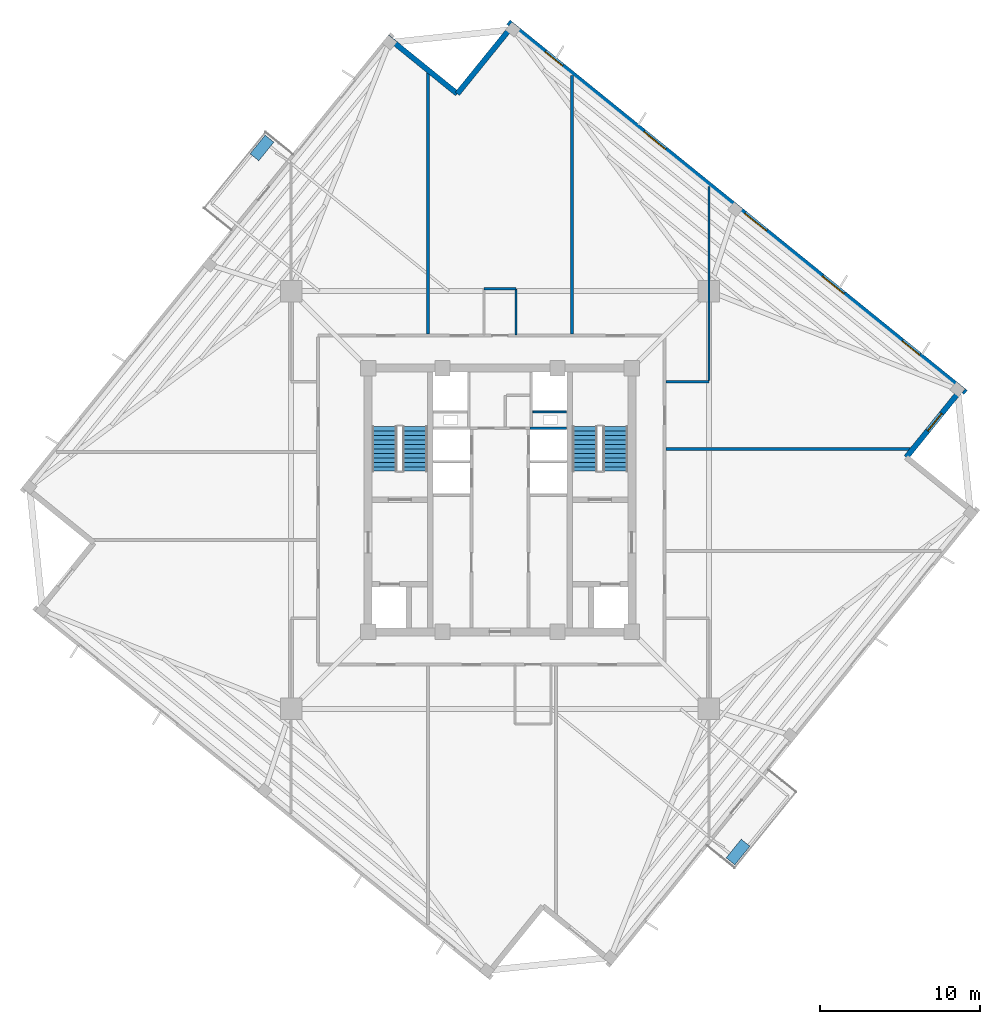
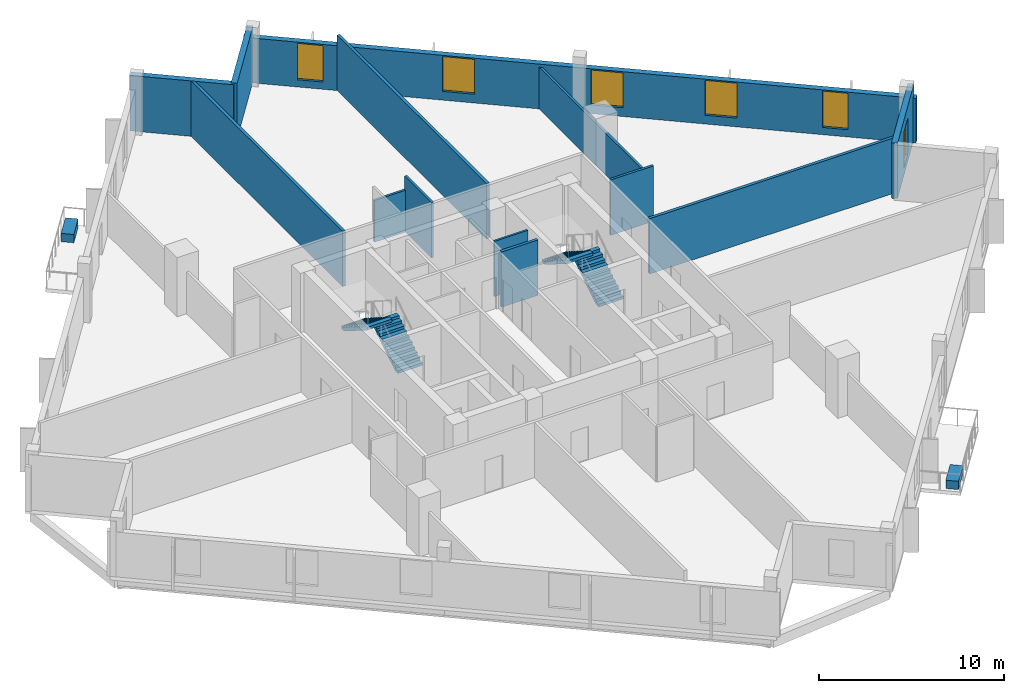
# One storey, part 5 of 9: 13 walls, 6 windows, 4 stair flights, 2 discrete accessories, 6 openings, 2 elements without a shape of their own.
"""IFC4 building model written with IfcOpenShell, lengths in metres."""

from ifc_helpers import new_model, si_unit, direction, frame, frame_2d, origin, origin_2d, place, context, subcontext, project, spatial, polyline, rectangle, outline, extrude, source, transform, mapped, material, layer, layer_set, type_object, element, fill, aggregate, save


model = new_model("IFC4")

# Units and contexts
model_context = context("Model", 3, precision=1e-05, world=origin(), true_north=direction((0.0, 1.0)))
body_context = subcontext(model_context, "Body", "Model", "MODEL_VIEW")
ifc_project = project(units=[si_unit("LENGTHUNIT", "METRE"), si_unit("AREAUNIT", "SQUARE_METRE"), si_unit("VOLUMEUNIT", "CUBIC_METRE"), si_unit("PLANEANGLEUNIT", "RADIAN"), si_unit("MASSUNIT", "GRAM", prefix="KILO"), si_unit("THERMODYNAMICTEMPERATUREUNIT", "KELVIN")], contexts=[model_context])

# Site, building, storey
site_placement = place(None, origin())
site = spatial("IfcSite", under=ifc_project, at=site_placement, CompositionType="ELEMENT")
building_placement = place(site_placement, origin())
building = spatial("IfcBuilding", under=site, at=building_placement, Name="Kosmvard Interchange Tower", CompositionType="ELEMENT")
storey_placement = place(building_placement, frame((0.0, 0.0, 236.800048828125)))
storey = spatial("IfcBuildingStorey", under=building, at=storey_placement, Name="L57", CompositionType="ELEMENT", Elevation=236.800048828125)

# Walls
ifc_material_1 = material(Name="Acoustic gypsum partition system")
ifc_layer_1 = layer(ifc_material_1, 0.14990234375, Name="Acoustic gypsum partition system")
ifc_layer_set_1 = layer_set([ifc_layer_1], Name="Acoustic gypsum partition system")
wall_type_1 = type_object("IfcWallType", Name="Acoustic Suite & Meeting Partition 150", PredefinedType="PARTITIONING", material=ifc_layer_set_1)
wall_1_placement = place(storey_placement, frame((10.39501953125, 7.39990234375, 0.0), z_axis=(0.0, 0.0, 1.0), x_axis=(1.0, 0.0, 0.0)))
element("IfcWall", 1, at=wall_1_placement, inside=storey, type_object=wall_type_1, Name="L57 Room Partition 11.1", PredefinedType="PARTITIONING", context=body_context, shape_type="SweptSolid", body=[
    extrude(rectangle(XDim=2.68603515625, YDim=0.14990234375, at=frame_2d((1.343017578125, 0.0))), origin(), (0.0, 0.0, 1.0), 3.659912109375),
])
wall_2_placement = place(storey_placement, frame((13.0810546875, 7.47509765625, 0.0), z_axis=(0.0, 0.0, 1.0), x_axis=(0.0, 1.0, 0.0)))
element("IfcWall", 2, at=wall_2_placement, inside=storey, type_object=wall_type_1, Name="L57 Room Partition 12.1", PredefinedType="PARTITIONING", context=body_context, shape_type="SweptSolid", body=[
    extrude(rectangle(XDim=12.138916015625, YDim=0.14990234375, at=frame_2d((6.0693359375, 0.0))), origin(), (0.0, 0.0, 1.0), 2.760009765625),
])
ifc_material_2 = material(Name="Fire-rated gypsum partition system")
ifc_layer_2 = layer(ifc_material_2, 0.179931640625, Name="Fire-rated gypsum partition system")
ifc_layer_set_2 = layer_set([ifc_layer_2], Name="Fire-rated gypsum partition system")
wall_type_2 = type_object("IfcWallType", Name="Corridor & Hotel Compartment Partition 180", PredefinedType="PARTITIONING", material=ifc_layer_set_2)
wall_3_placement = place(storey_placement, frame((-4.5, 10.39501953125, 0.0), z_axis=(0.0, 0.0, 1.0), x_axis=(0.0, 1.0, 0.0)))
element("IfcWall", 3, at=wall_3_placement, inside=storey, type_object=wall_type_2, Name="L57 Room Partition 01.1", PredefinedType="PARTITIONING", context=body_context, shape_type="SweptSolid", body=[
    extrude(rectangle(XDim=16.37841796875, YDim=0.179931640625, at=frame_2d((8.189208984375, 0.0))), origin(), (0.0, 0.0, 1.0), 3.659912109375),
])
wall_4_placement = place(storey_placement, frame((4.5, 10.39501953125, 0.0), z_axis=(0.0, 0.0, 1.0), x_axis=(0.0, 1.0, 0.0)))
element("IfcWall", 4, at=wall_4_placement, inside=storey, type_object=wall_type_2, Name="L57 Room Partition 02.1", PredefinedType="PARTITIONING", context=body_context, shape_type="SweptSolid", body=[
    extrude(rectangle(XDim=16.167724609375, YDim=0.179931640625, at=frame_2d((8.083984375, 0.0))), origin(), (0.0, 0.0, 1.0), 3.659912109375),
])
wall_5_placement = place(storey_placement, frame((10.39501953125, 3.199951171875, 0.0), z_axis=(0.0, 0.0, 1.0), x_axis=(1.0, 0.0, 0.0)))
element("IfcWall", 5, at=wall_5_placement, inside=storey, type_object=wall_type_2, Name="L57 Room Partition 03.1", PredefinedType="PARTITIONING", context=body_context, shape_type="SweptSolid", body=[
    extrude(rectangle(XDim=15.32568359375, YDim=0.179931640625, at=frame_2d((7.662841796875, 0.0))), origin(), (0.0, 0.0, 1.0), 3.659912109375),
])

# Wall, opening, window
ifc_material_3 = material(Name="Precast concrete C45/55", Category="concrete")
ifc_layer_3 = layer(ifc_material_3, 0.340087890625, Name="Precast concrete C45/55")
ifc_layer_set_3 = layer_set([ifc_layer_3], Name="Precast concrete C45/55")
wall_type_3 = type_object("IfcWallType", Name="Mid Tower Precast Pier Wall 340 C45/55", PredefinedType="STANDARD", material=ifc_layer_set_3)
wall_6_placement = place(storey_placement, frame((25.428955078125, 2.672607421875, 0.0), z_axis=(0.0, 0.0, 1.0), x_axis=(0.629299794138, 0.777162640055, 0.0)))
wall_6 = element("IfcWall", 6, at=wall_6_placement, inside=storey, type_object=wall_type_3, Name="L57 Precast Facade Wall N-SE2", PredefinedType="STANDARD", context=body_context, shape_type="SweptSolid", body=[
    extrude(rectangle(XDim=5.669921875, YDim=0.340087890625, at=frame_2d((2.8349609375, 0.0))), origin(), (0.0, 0.0, 1.0), 3.659912109375),
])
opening_1_placement = place(wall_6_placement, frame((2.135009765625, 0.0, 0.47998046875)))
opening_1 = element("IfcOpeningElement", 7, at=opening_1_placement, cuts=wall_6, Name="Opening L57-W21", PredefinedType="OPENING", context=body_context, shape_type="SweptSolid", body=[
    extrude(rectangle(XDim=1.39990234375, YDim=2.39990234375, at=frame_2d((0.699951171875, 1.199951171875))), frame((0.0, 0.18017578125, 0.0), z_axis=(0.0, -1.0, 0.0), x_axis=(1.0, 0.0, 0.0)), (0.0, 0.0, 1.0), 0.360107421875),
])
ifc_material_4 = material(Name="Low-E solar-control double glazing", Category="glass")
window_type_1 = type_object("IfcWindowType", Name="Notched Corner Feature Window 1400x2400", PartitioningType="SINGLE_PANEL", PredefinedType="WINDOW", material=ifc_material_4)
shared_shape_1 = source(origin(), body_context, "Body", "SweptSolid", [
    extrude(rectangle(XDim=1.39990234375, YDim=2.39990234375, at=frame_2d((0.699951171875, 1.199951171875))), frame((0.0, 0.030029296875, 0.0), z_axis=(0.0, -1.0, 0.0), x_axis=(1.0, 0.0, 0.0)), (0.0, 0.0, 1.0), 0.06005859375),
])
window_1_placement = place(opening_1_placement, origin())
window_1 = element("IfcWindow", 8, at=window_1_placement, inside=storey, type_object=window_type_1, Name="L57 Corner Notch Window 21", OverallHeight=2.39990234375, OverallWidth=1.39990234375, PartitioningType="SINGLE_PANEL", PredefinedType="WINDOW", context=body_context, shape_type="MappedRepresentation", body=[
    mapped(shared_shape_1, transform((0.0, 0.0, 0.0), scale=1.0)),
])
fill(opening_1, window_1)

# Wall, openings, windows
wall_7_placement = place(storey_placement, frame((29.154296875, 6.73291015625, 0.0), z_axis=(0.0, 0.0, 1.0), x_axis=(-0.77714192302, 0.629325378072, 0.0)))
wall_7 = element("IfcWall", 9, at=wall_7_placement, inside=storey, type_object=wall_type_3, Name="L57 Precast Facade Wall F-E", PredefinedType="STANDARD", context=body_context, shape_type="SweptSolid", body=[
    extrude(rectangle(XDim=36.840087890625, YDim=0.340087890625, at=frame_2d((18.419921875, 0.0))), origin(), (0.0, 0.0, 1.0), 2.9599609375),
])
opening_2_placement = place(wall_7_placement, frame((3.720703125, 0.0, 0.47998046875)))
opening_2 = element("IfcOpeningElement", 10, at=opening_2_placement, cuts=wall_7, Name="Opening L57-W06", PredefinedType="OPENING", context=body_context, shape_type="SweptSolid", body=[
    extrude(rectangle(XDim=1.39990234375, YDim=2.39990234375, at=frame_2d((0.699951171875, 1.199951171875))), frame((0.0, 0.18017578125, 0.0), z_axis=(0.0, -1.0, 0.0), x_axis=(1.0, 0.0, 0.0)), (0.0, 0.0, 1.0), 0.360107421875),
])
opening_3_placement = place(wall_7_placement, frame((9.80859375, 0.0, 0.580078125)))
opening_3 = element("IfcOpeningElement", 11, at=opening_3_placement, cuts=wall_7, Name="Opening L57-W07", PredefinedType="OPENING", context=body_context, shape_type="SweptSolid", body=[
    extrude(rectangle(XDim=1.75, YDim=2.300048828125, at=frame_2d((0.875, 1.14990234375))), frame((0.0, 0.18017578125, 0.0), z_axis=(0.0, -1.0, 0.0), x_axis=(1.0, 0.0, 0.0)), (0.0, 0.0, 1.0), 0.360107421875),
])
opening_4_placement = place(wall_7_placement, frame((16.05810546875, 0.0, 0.580078125)))
opening_4 = element("IfcOpeningElement", 12, at=opening_4_placement, cuts=wall_7, Name="Opening L57-W08", PredefinedType="OPENING", context=body_context, shape_type="SweptSolid", body=[
    extrude(rectangle(XDim=1.75, YDim=2.300048828125, at=frame_2d((0.875, 1.14990234375))), frame((0.0, 0.18017578125, 0.0), z_axis=(0.0, -1.0, 0.0), x_axis=(1.0, 0.0, 0.0)), (0.0, 0.0, 1.0), 0.360107421875),
])
opening_5_placement = place(wall_7_placement, frame((24.17626953125, 0.0, 0.580078125)))
opening_5 = element("IfcOpeningElement", 13, at=opening_5_placement, cuts=wall_7, Name="Opening L57-W09", PredefinedType="OPENING", context=body_context, shape_type="SweptSolid", body=[
    extrude(rectangle(XDim=1.75, YDim=2.300048828125, at=frame_2d((0.875, 1.14990234375))), frame((0.0, 0.18017578125, 0.0), z_axis=(0.0, -1.0, 0.0), x_axis=(1.0, 0.0, 0.0)), (0.0, 0.0, 1.0), 0.360107421875),
])
opening_6_placement = place(wall_7_placement, frame((32.482421875, 0.0, 0.47998046875)))
opening_6 = element("IfcOpeningElement", 14, at=opening_6_placement, cuts=wall_7, Name="Opening L57-W10", PredefinedType="OPENING", context=body_context, shape_type="SweptSolid", body=[
    extrude(rectangle(XDim=1.39990234375, YDim=2.39990234375, at=frame_2d((0.699951171875, 1.199951171875))), frame((0.0, 0.18017578125, 0.0), z_axis=(0.0, -1.0, 0.0), x_axis=(1.0, 0.0, 0.0)), (0.0, 0.0, 1.0), 0.360107421875),
])
window_2_placement = place(opening_2_placement, origin())
window_2 = element("IfcWindow", 15, at=window_2_placement, inside=storey, type_object=window_type_1, Name="L57 Facade Punched Window 06", OverallHeight=2.39990234375, OverallWidth=1.39990234375, PartitioningType="SINGLE_PANEL", PredefinedType="WINDOW", context=body_context, shape_type="MappedRepresentation", body=[
    mapped(shared_shape_1, transform((0.0, 0.0, 0.0), scale=1.0)),
])
fill(opening_2, window_2)
window_3_placement = place(opening_6_placement, origin())
window_3 = element("IfcWindow", 16, at=window_3_placement, inside=storey, type_object=window_type_1, Name="L57 Facade Punched Window 10", OverallHeight=2.39990234375, OverallWidth=1.39990234375, PartitioningType="SINGLE_PANEL", PredefinedType="WINDOW", context=body_context, shape_type="MappedRepresentation", body=[
    mapped(shared_shape_1, transform((0.0, 0.0, 0.0), scale=1.0)),
])
fill(opening_6, window_3)
window_type_2 = type_object("IfcWindowType", Name="Zone 4 Suite Punched Window 1750x2300", PartitioningType="SINGLE_PANEL", PredefinedType="WINDOW", material=ifc_material_4)
shared_shape_2 = source(origin(), body_context, "Body", "SweptSolid", [
    extrude(rectangle(XDim=1.75, YDim=2.300048828125, at=frame_2d((0.875, 1.14990234375))), frame((0.0, 0.030029296875, 0.0), z_axis=(0.0, -1.0, 0.0), x_axis=(1.0, 0.0, 0.0)), (0.0, 0.0, 1.0), 0.06005859375),
])
window_4_placement = place(opening_3_placement, origin())
window_4 = element("IfcWindow", 17, at=window_4_placement, inside=storey, type_object=window_type_2, Name="L57 Facade Punched Window 07", OverallHeight=2.300048828125, OverallWidth=1.75, PartitioningType="SINGLE_PANEL", PredefinedType="WINDOW", context=body_context, shape_type="MappedRepresentation", body=[
    mapped(shared_shape_2, transform((0.0, 0.0, 0.0), scale=1.0)),
])
fill(opening_3, window_4)
window_5_placement = place(opening_4_placement, origin())
window_5 = element("IfcWindow", 18, at=window_5_placement, inside=storey, type_object=window_type_2, Name="L57 Facade Punched Window 08", OverallHeight=2.300048828125, OverallWidth=1.75, PartitioningType="SINGLE_PANEL", PredefinedType="WINDOW", context=body_context, shape_type="MappedRepresentation", body=[
    mapped(shared_shape_2, transform((0.0, 0.0, 0.0), scale=1.0)),
])
fill(opening_4, window_5)
window_6_placement = place(opening_5_placement, origin())
window_6 = element("IfcWindow", 19, at=window_6_placement, inside=storey, type_object=window_type_2, Name="L57 Facade Punched Window 09", OverallHeight=2.300048828125, OverallWidth=1.75, PartitioningType="SINGLE_PANEL", PredefinedType="WINDOW", context=body_context, shape_type="MappedRepresentation", body=[
    mapped(shared_shape_2, transform((0.0, 0.0, 0.0), scale=1.0)),
])
fill(opening_5, window_6)

# Walls
wall_8_placement = place(storey_placement, frame((0.78857421875, 29.703125, 0.0), z_axis=(0.0, 0.0, 1.0), x_axis=(-0.629323365087, -0.77714355312, 0.0)))
element("IfcWall", 20, at=wall_8_placement, inside=storey, type_object=wall_type_3, Name="L57 Precast Facade Wall N-NE1", PredefinedType="STANDARD", context=body_context, shape_type="SweptSolid", body=[
    extrude(rectangle(XDim=5.499755859375, YDim=0.340087890625, at=frame_2d((2.75, 0.0))), origin(), (0.0, 0.0, 1.0), 3.659912109375),
])
wall_9_placement = place(storey_placement, frame((-2.672607421875, 25.428955078125, 0.0), z_axis=(0.0, 0.0, 1.0), x_axis=(-0.777162640055, 0.629299794138, 0.0)))
element("IfcWall", 21, at=wall_9_placement, inside=storey, type_object=wall_type_3, Name="L57 Precast Facade Wall N-NE2", PredefinedType="STANDARD", context=body_context, shape_type="SweptSolid", body=[
    extrude(rectangle(XDim=5.669921875, YDim=0.340087890625, at=frame_2d((2.8349609375, 0.0))), origin(), (0.0, 0.0, 1.0), 3.659912109375),
])
ifc_material_5 = material(Name="Concrete blockwork masonry", Category="masonry")
ifc_layer_4 = layer(ifc_material_5, 0.179931640625, Name="Concrete blockwork masonry")
ifc_layer_set_4 = layer_set([ifc_layer_4], Name="Concrete blockwork masonry")
wall_type_4 = type_object("IfcWallType", Name="Riser & Lift Bank Divider Wall 180", PredefinedType="PARTITIONING", material=ifc_layer_set_4)
wall_10_placement = place(storey_placement, frame((1.889892578125, 4.489990234375, 0.0), z_axis=(0.0, 0.0, 1.0), x_axis=(1.0, 0.0, 0.0)))
element("IfcWall", 22, at=wall_10_placement, inside=storey, type_object=wall_type_4, Name="L57 East Bank Divider BD3", PredefinedType="PARTITIONING", context=body_context, shape_type="SweptSolid", body=[
    extrude(rectangle(XDim=2.280029296875, YDim=0.179931640625, at=frame_2d((1.14013671875, 0.0))), origin(), (0.0, 0.0, 1.0), 3.659912109375),
])
ifc_material_6 = material(Name="Fire-rated gypsum shaftwall system")
ifc_layer_5 = layer(ifc_material_6, 0.1201171875, Name="Fire-rated gypsum shaftwall system")
ifc_layer_set_5 = layer_set([ifc_layer_5], Name="Fire-rated gypsum shaftwall system")
wall_type_5 = type_object("IfcWallType", Name="Shaft & Riser Fire Partition 120 EI60", PredefinedType="PARTITIONING", material=ifc_layer_set_5)
wall_11_placement = place(storey_placement, frame((2.06005859375, 5.52001953125, 0.0), z_axis=(0.0, 0.0, 1.0), x_axis=(1.0, 0.0, 0.0)))
element("IfcWall", 23, at=wall_11_placement, inside=storey, type_object=wall_type_5, Name="L57 Riser Shaft Divider E", PredefinedType="PARTITIONING", context=body_context, shape_type="SweptSolid", body=[
    extrude(rectangle(XDim=2.099853515625, YDim=0.1201171875, at=frame_2d((1.0498046875, 0.0))), origin(), (0.0, 0.0, 1.0), 3.659912109375),
])
ifc_material_7 = material(Name="Moisture-resistant gypsum partition")
ifc_layer_6 = layer(ifc_material_7, 0.135009765625, Name="Moisture-resistant gypsum partition")
ifc_layer_set_6 = layer_set([ifc_layer_6], Name="Moisture-resistant gypsum partition")
wall_type_6 = type_object("IfcWallType", Name="Wet Room Moisture-Resistant Partition 135", PredefinedType="PARTITIONING", material=ifc_layer_set_6)
wall_12_placement = place(storey_placement, frame((1.0, 10.320068359375, 0.0), z_axis=(0.0, 0.0, 1.0), x_axis=(0.0, 1.0, 0.0)))
element("IfcWall", 24, at=wall_12_placement, inside=storey, type_object=wall_type_6, Name="L57 Washroom Partition AWC1-E", PredefinedType="PARTITIONING", context=body_context, shape_type="SweptSolid", body=[
    extrude(rectangle(XDim=2.89990234375, YDim=0.135009765625, at=frame_2d((1.449951171875, 0.0))), origin(), (0.0, 0.0, 1.0), 3.659912109375),
])
wall_13_placement = place(storey_placement, frame((-1.0, 13.219970703125, 0.0), z_axis=(0.0, 0.0, 1.0), x_axis=(1.0, 0.0, 0.0)))
element("IfcWall", 25, at=wall_13_placement, inside=storey, type_object=wall_type_6, Name="L57 Washroom Partition AWC1-N", PredefinedType="PARTITIONING", context=body_context, shape_type="SweptSolid", body=[
    extrude(rectangle(XDim=2.0, YDim=0.135009765625, at=frame_2d((1.0, 0.0))), origin(), (0.0, 0.0, 1.0), 2.760009765625),
])

# Stair, stair flights
ifc_material_8 = material(Name="Concrete C50/60", Category="concrete")
stair_type = type_object("IfcStairType", Name="Dog-Leg Core Exit Stair H3900 C50/60", PredefinedType="HALF_TURN_STAIR", material=ifc_material_8)
stair_1_placement = place(storey_placement, origin())
stair_1 = element("IfcStair", 26, at=stair_1_placement, inside=storey, type_object=stair_type, Name="L57 Protected Exit Stair ST-1", PredefinedType="HALF_TURN_STAIR")
stair_flight_type = type_object("IfcStairFlightType", Name="Core Stair Flight W1550 H3900 C50/60", PredefinedType="STRAIGHT", material=ifc_material_8)
shared_shape_3 = source(origin(), body_context, "Body", "SweptSolid", [
    extrude(outline(polyline([(0.0, 0.0), (0.0, 0.17724609375), (0.280029296875, 0.17724609375), (0.280029296875, 0.3544921875), (0.56005859375, 0.3544921875), (0.56005859375, 0.53173828125), (0.840087890625, 0.53173828125), (0.840087890625, 0.708984375), (1.1201171875, 0.708984375), (1.1201171875, 0.886474609375), (1.39990234375, 0.886474609375), (1.39990234375, 1.063720703125), (1.679931640625, 1.063720703125), (1.679931640625, 1.240966796875), (1.9599609375, 1.240966796875), (1.9599609375, 1.418212890625), (2.239990234375, 1.418212890625), (2.239990234375, 1.595458984375), (2.52001953125, 1.595458984375), (2.52001953125, 1.772705078125), (2.800048828125, 1.772705078125), (2.800048828125, 1.949951171875), (2.800048828125, 1.58349609375), (0.298828125, 0.0), (0.0, 0.0)])), frame((0.0, 0.77490234375, 0.0), z_axis=(0.0, -1.0, 0.0), x_axis=(1.0, 0.0, 0.0)), (0.0, 0.0, 1.0), 1.550048828125),
])
stair_flight_1_placement = place(storey_placement, frame((-5.31494140625, 1.800048828125, 0.0), z_axis=(0.0, 0.0, 1.0), x_axis=(0.0, 1.0, 0.0)))
stair_flight_1 = element("IfcStairFlight", 27, at=stair_flight_1_placement, type_object=stair_flight_type, Name="ST-1 flight 1", NumberOfRisers=11, NumberOfTreads=10, PredefinedType="STRAIGHT", RiserHeight=0.177272727, TreadLength=0.28, context=body_context, shape_type="MappedRepresentation", body=[
    mapped(shared_shape_3, transform((0.0, 0.0, 0.0), scale=1.0)),
])
stair_flight_2_placement = place(storey_placement, frame((-7.22509765625, 4.60009765625, 1.949951171875), z_axis=(0.0, 0.0, 1.0), x_axis=(0.0, -1.0, 0.0)))
stair_flight_2 = element("IfcStairFlight", 28, at=stair_flight_2_placement, type_object=stair_flight_type, Name="ST-1 flight 2", NumberOfRisers=11, NumberOfTreads=10, PredefinedType="STRAIGHT", RiserHeight=0.177272727, TreadLength=0.28, context=body_context, shape_type="MappedRepresentation", body=[
    mapped(shared_shape_3, transform((0.0, 0.0, 0.0), scale=1.0)),
])
aggregate(stair_1, [stair_flight_1, stair_flight_2])

stair_2_placement = place(storey_placement, origin())
stair_2 = element("IfcStair", 29, at=stair_2_placement, inside=storey, type_object=stair_type, Name="L57 Protected Exit Stair ST-2", PredefinedType="HALF_TURN_STAIR")
stair_flight_3_placement = place(storey_placement, frame((7.22509765625, 1.800048828125, 0.0), z_axis=(0.0, 0.0, 1.0), x_axis=(0.0, 1.0, 0.0)))
stair_flight_3 = element("IfcStairFlight", 30, at=stair_flight_3_placement, type_object=stair_flight_type, Name="ST-2 flight 1", NumberOfRisers=11, NumberOfTreads=10, PredefinedType="STRAIGHT", RiserHeight=0.177272727, TreadLength=0.28, context=body_context, shape_type="MappedRepresentation", body=[
    mapped(shared_shape_3, transform((0.0, 0.0, 0.0), scale=1.0)),
])
stair_flight_4_placement = place(storey_placement, frame((5.31494140625, 4.60009765625, 1.949951171875), z_axis=(0.0, 0.0, 1.0), x_axis=(0.0, -1.0, 0.0)))
stair_flight_4 = element("IfcStairFlight", 31, at=stair_flight_4_placement, type_object=stair_flight_type, Name="ST-2 flight 2", NumberOfRisers=11, NumberOfTreads=10, PredefinedType="STRAIGHT", RiserHeight=0.177272727, TreadLength=0.28, context=body_context, shape_type="MappedRepresentation", body=[
    mapped(shared_shape_3, transform((0.0, 0.0, 0.0), scale=1.0)),
])
aggregate(stair_2, [stair_flight_3, stair_flight_4])

# Discrete accessories
ifc_material_9 = material(Name="Terracotta precast planter concrete C45/55", Category="masonry")
discrete_accessory_type = type_object("IfcDiscreteAccessoryType", Name="Precast Tree-Balcony & Terrace Planter Box", PredefinedType="USERDEFINED", material=ifc_material_9)
shared_shape_4 = source(origin(), body_context, "Body", "SweptSolid", [
    extrude(rectangle(XDim=1.5, YDim=0.699951171875, at=origin_2d()), origin(), (0.0, 0.0, 1.0), 0.550048828125),
])
for number, where, z_axis, x_axis, name in (
    (32, (14.901123046875, -22.0390625, 0.0), (0.0, 0.0, 1.0), (0.62932039105, 0.777145961457, 0.0), "L57 Balcony Tree Planter BAL-L57-S"),
    (33, (-14.901123046875, 22.0390625, 0.0), (0.0, 0.0, 1.0), (0.62932039105, 0.777145961457, 0.0), "L57 Balcony Tree Planter BAL-L57-N"),
):
    element("IfcDiscreteAccessory", number, at=place(storey_placement, frame(where, z_axis=z_axis, x_axis=x_axis)), inside=storey, type_object=discrete_accessory_type, Name=name, ObjectType="PLANTER", PredefinedType="USERDEFINED", context=body_context, shape_type="MappedRepresentation", body=[
        mapped(shared_shape_4, transform((0.0, 0.0, 0.0), scale=1.0)),
    ])

save(model, "model.ifc")
